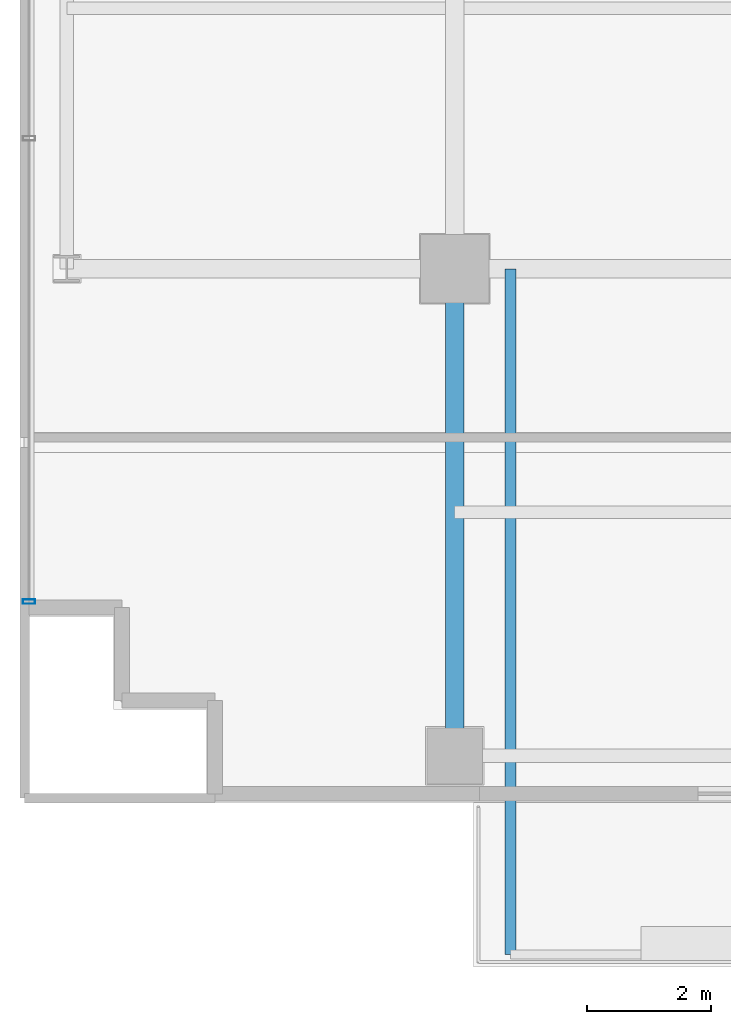
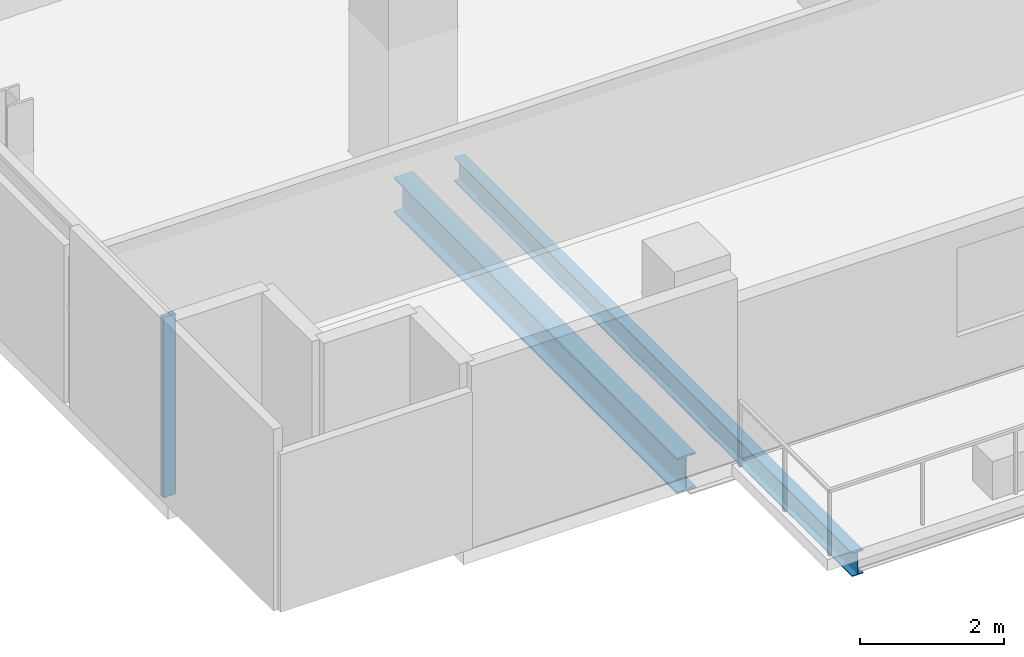
# One storey, part 2 of 28: 2 beams, 1 member, 1 element without a shape of its own.
"""IFC4 building model written with IfcOpenShell, lengths in metres."""

from ifc_helpers import new_model, si_unit, direction, frame, origin, origin_2d, place, context, subcontext, project, spatial, hollow_rectangle, i_section, extrude, source, transform, mapped, material, layer, layer_set, material_profile, profile_set, type_object, element, aggregate, save


model = new_model("IFC4")

# Units and contexts
model_context = context("Model", 3, precision=1e-05, world=origin(), true_north=direction((0.0, 1.0)))
body_context = subcontext(model_context, "Body", "Model", "MODEL_VIEW")
ifc_project = project(units=[si_unit("LENGTHUNIT", "METRE"), si_unit("AREAUNIT", "SQUARE_METRE"), si_unit("VOLUMEUNIT", "CUBIC_METRE"), si_unit("PLANEANGLEUNIT", "RADIAN"), si_unit("MASSUNIT", "GRAM", prefix="KILO")], contexts=[model_context])

# Site, building, storey
site_placement = place(None, origin())
site = spatial("IfcSite", under=ifc_project, at=site_placement, CompositionType="ELEMENT")
building_placement = place(site_placement, origin())
building = spatial("IfcBuilding", under=site, at=building_placement, Name="Zarnakvel Exchange Tower", CompositionType="ELEMENT")
storey_placement = place(building_placement, frame((0.0, 0.0, 57.10009765625)))
storey = spatial("IfcBuildingStorey", under=building, at=storey_placement, Name="L15", CompositionType="ELEMENT", Elevation=57.10009765625)

# Beams
ifc_material_1 = material(Name="Steel S355", Category="steel")
ifc_material_profile_1 = material_profile(ifc_material_1, i_section(OverallWidth=0.179931640625, OverallDepth=0.39990234375, WebThickness=0.008544921875, FlangeThickness=0.013427734375, FilletRadius=0.02099609375, at=origin_2d()))
ifc_profile_set_1 = profile_set([ifc_material_profile_1], Name="Steel S355")
beam_type_1 = type_object("IfcBeamType", Name="B-06", PredefinedType="JOIST", material=ifc_profile_set_1)
beam_1_placement = place(storey_placement, frame((-20.699951171875, -9.60009765625, -0.425048828125), z_axis=(0.0, -1.0, 0.0), x_axis=(1.0, 0.0, 0.0)))
element("IfcBeam", 1, at=beam_1_placement, inside=storey, type_object=beam_type_1, Name="L15 Continuous Back-Spanned Balcony Beam W", PredefinedType="JOIST", context=body_context, shape_type="SweptSolid", body=[
    extrude(i_section(OverallWidth=0.179931640625, OverallDepth=0.39990234375, WebThickness=0.008544921875, FlangeThickness=0.013427734375, FilletRadius=0.02099609375, at=origin_2d()), origin(), (0.0, 0.0, 1.0), 11.0498046875),
])
ifc_material_profile_2 = material_profile(ifc_material_1, i_section(OverallWidth=0.300048828125, OverallDepth=0.60009765625, WebThickness=0.015380859375, FlangeThickness=0.030029296875, FilletRadius=0.027099609375, at=origin_2d()))
ifc_profile_set_2 = profile_set([ifc_material_profile_2], Name="Steel S355")
beam_type_2 = type_object("IfcBeamType", Name="G-04", PredefinedType="BEAM", material=ifc_profile_set_2)
beam_2_placement = place(storey_placement, frame((-21.60009765625, -17.449951171875, -0.525146484375), z_axis=(0.0, 1.0, 0.0), x_axis=(-1.0, 0.0, 0.0)))
element("IfcBeam", 2, at=beam_2_placement, inside=storey, type_object=beam_type_2, Name="L15 Tower N-S Frame Beam", PredefinedType="BEAM", context=body_context, shape_type="SweptSolid", body=[
    extrude(i_section(OverallWidth=0.300048828125, OverallDepth=0.60009765625, WebThickness=0.015380859375, FlangeThickness=0.030029296875, FilletRadius=0.027099609375, at=origin_2d()), origin(), (0.0, 0.0, 1.0), 7.849853515625),
])

# Curtain wall, member
ifc_material_2 = material(Name="Architectural Bronze Anodised Aluminium", Category="aluminium")
ifc_layer = layer(ifc_material_2, 0.199951171875)
ifc_layer_set = layer_set([ifc_layer], Name="Architectural Bronze Anodised Aluminium")
curtain_wall_type = type_object("IfcCurtainWallType", Name="CW-04", PredefinedType="NOTDEFINED", material=ifc_layer_set)
curtain_wall_placement = place(storey_placement, origin())
curtain_wall = element("IfcCurtainWall", 3, at=curtain_wall_placement, inside=storey, type_object=curtain_wall_type, Name="L15 Curtain Wall CW-L15-W1 (CW-04)", PredefinedType="NOTDEFINED")
ifc_material_profile_3 = material_profile(ifc_material_2, hollow_rectangle(XDim=0.199951171875, YDim=0.074951171875, WallThickness=0.0048828125, at=origin_2d()))
ifc_profile_set_3 = profile_set([ifc_material_profile_3], Name="Architectural Bronze Anodised Aluminium")
member_type = type_object("IfcMemberType", Name="CWM-04", PredefinedType="MULLION", material=ifc_profile_set_3)
shared_shape = source(origin(), body_context, "Body", "SweptSolid", [
    extrude(hollow_rectangle(XDim=0.199951171875, YDim=0.074951171875, WallThickness=0.0048828125, at=origin_2d()), origin(), (0.0, 0.0, 1.0), 3.054931640625),
])
member_placement = place(storey_placement, frame((-28.4599609375, -14.96240234375, 0.0), z_axis=(0.0, 0.0, 1.0), x_axis=(-1.0, 0.0, 0.0)))
member = element("IfcMember", 4, at=member_placement, type_object=member_type, Name="CW-04 mullion 1", PredefinedType="MULLION", context=body_context, shape_type="MappedRepresentation", body=[
    mapped(shared_shape, transform((0.0, 0.0, 0.0), x_axis=(1.0, 0.0, 0.0), y_axis=(0.0, 1.0, 0.0), z_axis=(0.0, 0.0, 1.0), scale=1.0)),
])
aggregate(curtain_wall, [member])

save(model, "model.ifc")
